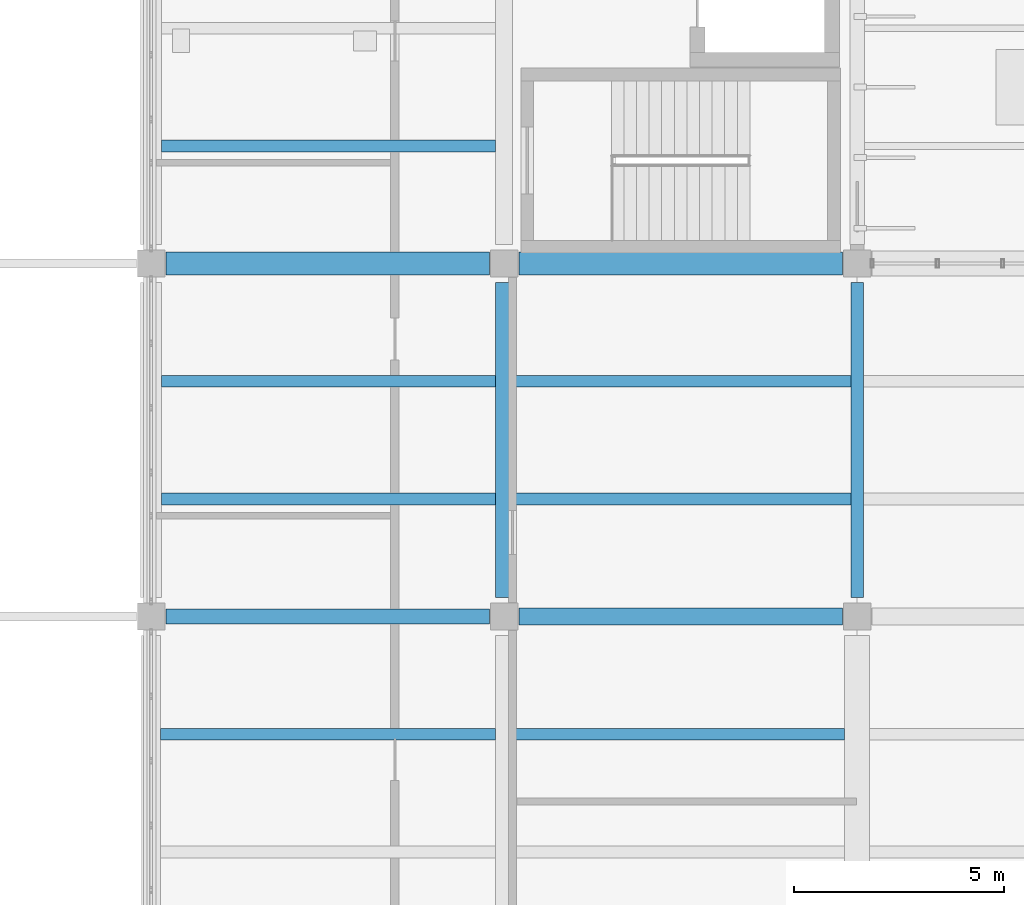
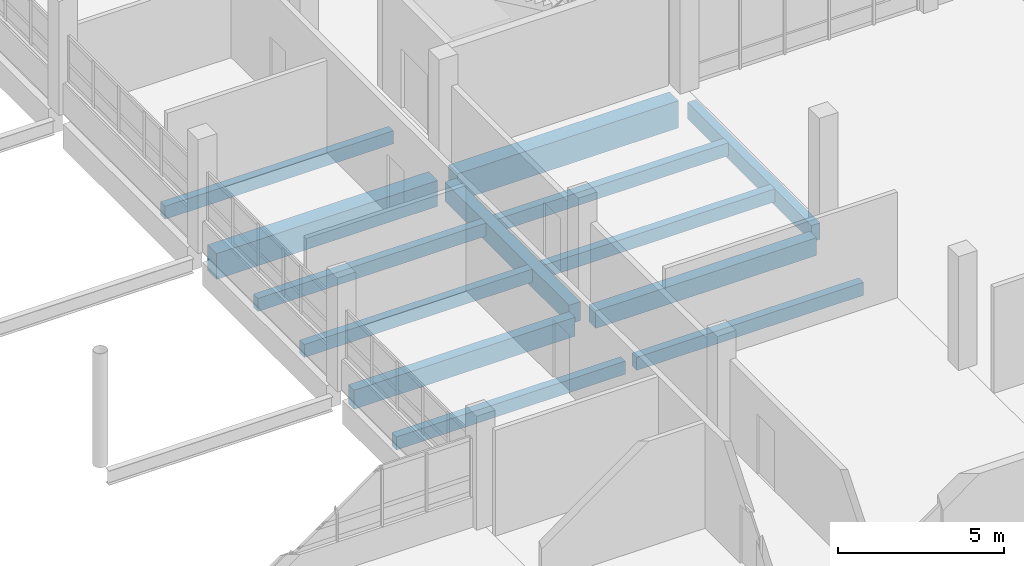
# One storey, part 34 of 101: 13 beams.
"""IFC4 building model written with IfcOpenShell, lengths in metres."""

from ifc_helpers import new_model, si_unit, direction, frame, origin, origin_2d, place, context, subcontext, project, spatial, rectangle, extrude, material, material_profile, profile_set, type_object, element, save


model = new_model("IFC4")

# Units and contexts
model_context = context("Model", 3, precision=1e-05, world=origin(), true_north=direction((0.0, 1.0)))
body_context = subcontext(model_context, "Body", "Model", "MODEL_VIEW")
ifc_project = project(units=[si_unit("LENGTHUNIT", "METRE"), si_unit("AREAUNIT", "SQUARE_METRE"), si_unit("VOLUMEUNIT", "CUBIC_METRE"), si_unit("PLANEANGLEUNIT", "RADIAN"), si_unit("MASSUNIT", "GRAM", prefix="KILO")], contexts=[model_context])

# Site, building, storey
site_placement = place(None, origin())
site = spatial("IfcSite", under=ifc_project, at=site_placement, CompositionType="ELEMENT")
building_placement = place(site_placement, origin())
building = spatial("IfcBuilding", under=site, at=building_placement, Name="Vireocrest Preparatory School", CompositionType="ELEMENT")
storey_placement = place(building_placement, frame((0.0, 0.0, 4.800048828125)))
storey = spatial("IfcBuildingStorey", under=building, at=storey_placement, Name="L01", CompositionType="ELEMENT", Elevation=4.800048828125)

# Beams
ifc_material = material(Name="Concrete 40 MPa", Category="concrete")
ifc_material_profile_1 = material_profile(ifc_material, rectangle(XDim=0.300048828125, YDim=0.60009765625, at=origin_2d()), Name="RC 300x600")
ifc_profile_set_1 = profile_set([ifc_material_profile_1], Name="Concrete 40 MPa")
beam_type_1 = type_object("IfcBeamType", Name="RC Classroom Beam 300x600", PredefinedType="BEAM", material=ifc_profile_set_1)
beam_1_placement = place(storey_placement, frame((109.199951171875, 35.85009765625, -0.580078125), z_axis=(0.0, 1.0, 0.0), x_axis=(-1.0, 0.0, 0.0)))
element("IfcBeam", 1, at=beam_1_placement, inside=storey, type_object=beam_type_1, Name="Primary Girder B03 L01-0464", PredefinedType="BEAM", context=body_context, shape_type="SweptSolid", body=[
    extrude(rectangle(XDim=0.300048828125, YDim=0.60009765625, at=origin_2d()), origin(), (0.0, 0.0, 1.0), 7.5),
])
ifc_material_profile_2 = material_profile(ifc_material, rectangle(XDim=0.550048828125, YDim=1.0, at=origin_2d()), Name="RC 550x1000")
ifc_profile_set_2 = profile_set([ifc_material_profile_2], Name="Concrete 40 MPa")
beam_type_2 = type_object("IfcBeamType", Name="RC Core Coupling Beam 550x1000", PredefinedType="BEAM", material=ifc_profile_set_2)
beam_2_placement = place(storey_placement, frame((101.14990234375, 43.800048828125, -0.760009765625), z_axis=(1.0, 0.0, 0.0), x_axis=(0.0, 1.0, 0.0)))
element("IfcBeam", 2, at=beam_2_placement, inside=storey, type_object=beam_type_2, Name="Primary Girder B18 L01-0304", PredefinedType="BEAM", context=body_context, shape_type="SweptSolid", body=[
    extrude(rectangle(XDim=0.550048828125, YDim=1.0, at=origin_2d()), origin(), (0.0, 0.0, 1.0), 7.7001953125),
])
ifc_material_profile_3 = material_profile(ifc_material, rectangle(XDim=0.39990234375, YDim=0.699951171875, at=origin_2d()), Name="RC 400x700")
ifc_profile_set_3 = profile_set([ifc_material_profile_3], Name="Concrete 40 MPa")
beam_type_3 = type_object("IfcBeamType", Name="RC Corridor Girder 400x700", PredefinedType="BEAM", material=ifc_profile_set_3)
beam_3_placement = place(storey_placement, frame((100.800048828125, 35.85009765625, -0.610107421875), z_axis=(0.0, 1.0, 0.0), x_axis=(-1.0, 0.0, 0.0)))
element("IfcBeam", 3, at=beam_3_placement, inside=storey, type_object=beam_type_3, Name="Primary Girder B08 L01-0451", PredefinedType="BEAM", context=body_context, shape_type="SweptSolid", body=[
    extrude(rectangle(XDim=0.39990234375, YDim=0.699951171875, at=origin_2d()), origin(), (0.0, 0.0, 1.0), 7.5),
])
ifc_material_profile_4 = material_profile(ifc_material, rectangle(XDim=0.35009765625, YDim=0.699951171875, at=origin_2d()), Name="RC 350x700")
ifc_profile_set_4 = profile_set([ifc_material_profile_4], Name="Concrete 40 MPa")
beam_type_4 = type_object("IfcBeamType", Name="RC Laboratory Girder 350x700", PredefinedType="BEAM", material=ifc_profile_set_4)
beam_4_placement = place(storey_placement, frame((92.75, 35.39990234375, -0.610107421875), z_axis=(1.0, 0.0, 0.0), x_axis=(0.0, 1.0, 0.0)))
element("IfcBeam", 4, at=beam_4_placement, inside=storey, type_object=beam_type_4, Name="Primary Girder B06 L01-0292", PredefinedType="BEAM", context=body_context, shape_type="SweptSolid", body=[
    extrude(rectangle(XDim=0.35009765625, YDim=0.699951171875, at=origin_2d()), origin(), (0.0, 0.0, 1.0), 7.699951171875),
])
ifc_material_profile_5 = material_profile(ifc_material, rectangle(XDim=0.39990234375, YDim=0.64990234375, at=origin_2d()), Name="RC 400x650")
ifc_profile_set_5 = profile_set([ifc_material_profile_5], Name="Concrete 40 MPa")
beam_type_5 = type_object("IfcBeamType", Name="RC Laboratory Girder 400x650", PredefinedType="BEAM", material=ifc_profile_set_5)
beam_5_placement = place(storey_placement, frame((101.14990234375, 35.39990234375, -0.5849609375), z_axis=(1.0, 0.0, 0.0), x_axis=(0.0, 1.0, 0.0)))
element("IfcBeam", 5, at=beam_5_placement, inside=storey, type_object=beam_type_5, Name="Primary Girder B07 L01-0293", PredefinedType="BEAM", context=body_context, shape_type="SweptSolid", body=[
    extrude(rectangle(XDim=0.39990234375, YDim=0.64990234375, at=origin_2d()), origin(), (0.0, 0.0, 1.0), 7.7001953125),
])
ifc_material_profile_6 = material_profile(ifc_material, rectangle(XDim=0.280029296875, YDim=0.47998046875, at=origin_2d()), Name="RC 280x480")
ifc_profile_set_6 = profile_set([ifc_material_profile_6], Name="Concrete 40 MPa")
beam_type_6 = type_object("IfcBeamType", Name="RC Secondary Lab Joist 280x480", PredefinedType="JOIST", material=ifc_profile_set_6)
beam_6_placement = place(storey_placement, frame((92.625, 32.60009765625, -0.5), z_axis=(1.0, 0.0, 0.0), x_axis=(0.0, 1.0, 0.0)))
element("IfcBeam", 6, at=beam_6_placement, inside=storey, type_object=beam_type_6, Name="Secondary Joist J02 L01-0590", PredefinedType="JOIST", context=body_context, shape_type="SweptSolid", body=[
    extrude(rectangle(XDim=0.280029296875, YDim=0.47998046875, at=origin_2d()), origin(), (0.0, 0.0, 1.0), 7.97509765625),
])
for number, where, z_axis, x_axis, name in (
    (7, (92.64990234375, 38.199951171875, -0.5), (1.0, 0.0, 0.0), (0.0, 1.0, 0.0), "Secondary Joist J02 L01-0591"),
    (8, (92.64990234375, 41.0, -0.5), (1.0, 0.0, 0.0), (0.0, 1.0, 0.0), "Secondary Joist J02 L01-0592"),
    (9, (92.64990234375, 46.60009765625, -0.5), (1.0, 0.0, 0.0), (0.0, 1.0, 0.0), "Secondary Joist J02 L01-0593"),
):
    element("IfcBeam", number, at=place(storey_placement, frame(where, z_axis=z_axis, x_axis=x_axis)), inside=storey, type_object=beam_type_6, Name=name, PredefinedType="JOIST", context=body_context, shape_type="SweptSolid", body=[
        extrude(rectangle(XDim=0.280029296875, YDim=0.47998046875, at=origin_2d()), origin(), (0.0, 0.0, 1.0), 7.9501953125),
    ])
beam_7_placement = place(storey_placement, frame((101.0, 32.60009765625, -0.5), z_axis=(1.0, 0.0, 0.0), x_axis=(0.0, 1.0, 0.0)))
element("IfcBeam", 10, at=beam_7_placement, inside=storey, type_object=beam_type_6, Name="Secondary Joist J02 L01-0612", PredefinedType="JOIST", context=body_context, shape_type="SweptSolid", body=[
    extrude(rectangle(XDim=0.280029296875, YDim=0.47998046875, at=origin_2d()), origin(), (0.0, 0.0, 1.0), 7.89990234375),
])
for number, where, z_axis, x_axis, name in (
    (11, (101.0, 38.199951171875, -0.5), (1.0, 0.0, 0.0), (0.0, 1.0, 0.0), "Secondary Joist J02 L01-0613"),
    (12, (101.0, 41.0, -0.5), (1.0, 0.0, 0.0), (0.0, 1.0, 0.0), "Secondary Joist J02 L01-0614"),
):
    element("IfcBeam", number, at=place(storey_placement, frame(where, z_axis=z_axis, x_axis=x_axis)), inside=storey, type_object=beam_type_6, Name=name, PredefinedType="JOIST", context=body_context, shape_type="SweptSolid", body=[
        extrude(rectangle(XDim=0.280029296875, YDim=0.47998046875, at=origin_2d()), origin(), (0.0, 0.0, 1.0), 8.050048828125),
    ])
ifc_material_profile_7 = material_profile(ifc_material, rectangle(XDim=0.550048828125, YDim=0.949951171875, at=origin_2d()), Name="RC 550x950")
ifc_profile_set_7 = profile_set([ifc_material_profile_7], Name="Concrete 40 MPa")
beam_type_7 = type_object("IfcBeamType", Name="RC Setback Edge Girder 550x950", PredefinedType="BEAM", material=ifc_profile_set_7)
beam_8_placement = place(storey_placement, frame((92.75, 43.800048828125, -0.735107421875), z_axis=(1.0, 0.0, 0.0), x_axis=(0.0, 1.0, 0.0)))
element("IfcBeam", 13, at=beam_8_placement, inside=storey, type_object=beam_type_7, Name="Primary Girder B17 L01-0303", PredefinedType="BEAM", context=body_context, shape_type="SweptSolid", body=[
    extrude(rectangle(XDim=0.550048828125, YDim=0.949951171875, at=origin_2d()), origin(), (0.0, 0.0, 1.0), 7.699951171875),
])

save(model, "model.ifc")
